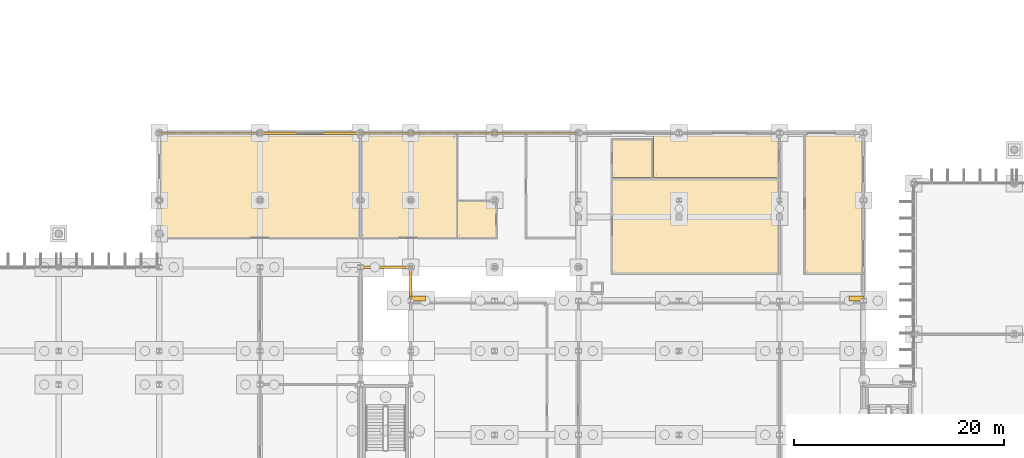
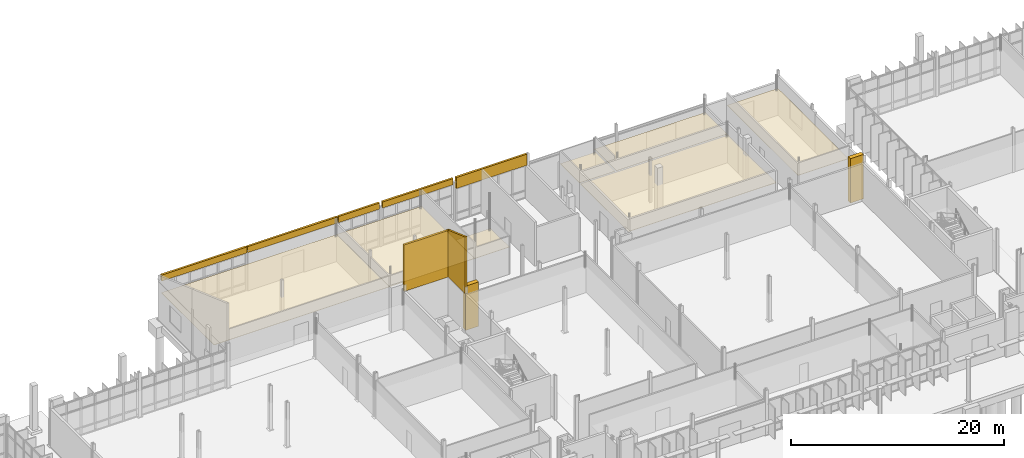
# One storey, part 107 of 111: 16 coverings.
"""IFC4 building model written with IfcOpenShell, lengths in metres."""

from ifc_helpers import new_model, si_unit, direction, frame, origin, origin_2d, place, context, subcontext, project, spatial, polyline, rectangle, outline, extrude, material, layer, layer_set, type_object, element, save


model = new_model("IFC4")

# Units and contexts
model_context = context("Model", 3, precision=1e-05, world=origin(), true_north=direction((0.0, 1.0)))
body_context = subcontext(model_context, "Body", "Model", "MODEL_VIEW")
ifc_project = project(units=[si_unit("LENGTHUNIT", "METRE"), si_unit("AREAUNIT", "SQUARE_METRE"), si_unit("VOLUMEUNIT", "CUBIC_METRE"), si_unit("PLANEANGLEUNIT", "RADIAN"), si_unit("MASSUNIT", "GRAM", prefix="KILO")], contexts=[model_context])

# Site, building, storey
site_placement = place(None, origin())
site = spatial("IfcSite", under=ifc_project, at=site_placement, CompositionType="ELEMENT")
building_placement = place(site_placement, origin())
building = spatial("IfcBuilding", under=site, at=building_placement, Name="Dunescarp Central Library", CompositionType="ELEMENT")
storey_placement = place(building_placement, origin())
storey = spatial("IfcBuildingStorey", under=building, at=storey_placement, Name="L00", CompositionType="ELEMENT", Elevation=0.0)

# Coverings
ifc_material_1 = material(Name="Perforated birch acoustic timber baffle", Category="wood")
ifc_layer_1 = layer(ifc_material_1, 0.050048828125)
ifc_layer_set_1 = layer_set([ifc_layer_1], Name="Perforated birch acoustic timber baffle")
covering_type_1 = type_object("IfcCoveringType", Name="ARC-COV-BAFFLE", PredefinedType="CEILING", material=ifc_layer_set_1)
covering_1_placement = place(storey_placement, frame((0.0, 0.0, 3.050048828125)))
element("IfcCovering", 1, at=covering_1_placement, inside=storey, type_object=covering_type_1, Name="L00 ceiling Water-Court Reading Loggia", PredefinedType="CEILING", context=body_context, shape_type="SweptSolid", body=[
    extrude(outline(polyline([(76.780029296875, 39.580078125), (86.02001953125, 39.580078125), (86.02001953125, 49.47998046875), (76.780029296875, 49.47998046875), (76.780029296875, 39.580078125)])), origin(), (0.0, 0.0, 1.0), 0.050048828125),
])
ifc_material_2 = material(Name="Mineral-fibre acoustic ceiling tile")
ifc_layer_2 = layer(ifc_material_2, 0.0400390625)
ifc_layer_set_2 = layer_set([ifc_layer_2], Name="Mineral-fibre acoustic ceiling tile")
covering_type_2 = type_object("IfcCoveringType", Name="ARC-COV-CEIL40", PredefinedType="CEILING", material=ifc_layer_set_2)
covering_2_placement = place(storey_placement, frame((0.0, 0.0, 3.050048828125)))
element("IfcCovering", 2, at=covering_2_placement, inside=storey, type_object=covering_type_2, Name="L00 ceiling Loading Bay, Quarantine & Book Dispatch", PredefinedType="CEILING", context=body_context, shape_type="SweptSolid", body=[
    extrude(outline(polyline([(100.780029296875, 36.179931640625), (116.820068359375, 36.179931640625), (116.820068359375, 45.219970703125), (100.780029296875, 45.219970703125), (100.780029296875, 36.179931640625)])), origin(), (0.0, 0.0, 1.0), 0.0400390625),
])
covering_3_placement = place(storey_placement, frame((0.0, 0.0, 3.050048828125)))
element("IfcCovering", 3, at=covering_3_placement, inside=storey, type_object=covering_type_2, Name="L00 ceiling Staff Cyclist Shower Room", PredefinedType="CEILING", context=body_context, shape_type="SweptSolid", body=[
    extrude(outline(polyline([(100.780029296875, 45.3798828125), (104.6201171875, 45.3798828125), (104.6201171875, 49.02001953125), (100.780029296875, 49.02001953125), (100.780029296875, 45.3798828125)])), origin(), (0.0, 0.0, 1.0), 0.0400390625),
])
covering_4_placement = place(storey_placement, frame((0.0, 0.0, 3.050048828125)))
element("IfcCovering", 4, at=covering_4_placement, inside=storey, type_object=covering_type_2, Name="L00 ceiling Conservation Materials Store", PredefinedType="CEILING", context=body_context, shape_type="SweptSolid", body=[
    extrude(outline(polyline([(104.780029296875, 45.3798828125), (116.820068359375, 45.3798828125), (116.820068359375, 49.47998046875), (104.780029296875, 49.47998046875), (104.780029296875, 45.3798828125)])), origin(), (0.0, 0.0, 1.0), 0.0400390625),
])
covering_5_placement = place(storey_placement, frame((0.0, 0.0, 3.050048828125)))
element("IfcCovering", 5, at=covering_5_placement, inside=storey, type_object=covering_type_2, Name="L00 ceiling Covered Staff Cycle Store", PredefinedType="CEILING", context=body_context, shape_type="SweptSolid", body=[
    extrude(outline(polyline([(119.179931640625, 36.179931640625), (124.679931640625, 36.179931640625), (124.679931640625, 49.47998046875), (119.179931640625, 49.47998046875), (119.179931640625, 36.179931640625)])), origin(), (0.0, 0.0, 1.0), 0.0400390625),
])
covering_6_placement = place(storey_placement, frame((0.0, 0.0, 3.050048828125)))
element("IfcCovering", 6, at=covering_6_placement, inside=storey, type_object=covering_type_2, Name="L00 ceiling Bioswale Ecology Exhibition Gallery", PredefinedType="CEILING", context=body_context, shape_type="SweptSolid", body=[
    extrude(outline(polyline([(57.719970703125, 39.580078125), (76.820068359375, 39.580078125), (76.820068359375, 49.47998046875), (57.719970703125, 49.47998046875), (57.719970703125, 39.580078125)])), origin(), (0.0, 0.0, 1.0), 0.0400390625),
])
covering_7_placement = place(storey_placement, frame((0.0, 0.0, 3.050048828125)))
element("IfcCovering", 7, at=covering_7_placement, inside=storey, type_object=covering_type_2, Name="L00 ceiling Cloister Accessible Toilet", PredefinedType="CEILING", context=body_context, shape_type="SweptSolid", body=[
    extrude(outline(polyline([(85.97998046875, 39.580078125), (89.820068359375, 39.580078125), (89.820068359375, 43.1201171875), (85.97998046875, 43.1201171875), (85.97998046875, 39.580078125)])), origin(), (0.0, 0.0, 1.0), 0.0400390625),
])
ifc_material_3 = material(Name="Glass-fibre reinforced concrete GRC", Category="concrete")
ifc_layer_3 = layer(ifc_material_3, 0.219970703125)
ifc_layer_set_3 = layer_set([ifc_layer_3], Name="Glass-fibre reinforced concrete GRC")
covering_type_3 = type_object("IfcCoveringType", Name="ARC-COV-CLER", PredefinedType="CLADDING", material=ifc_layer_set_3)
covering_8_placement = place(storey_placement, frame((57.77490234375, 49.60009765625, 4.368896484375), z_axis=(0.0, 0.0, 1.0), x_axis=(1.0, 0.0, 0.0)))
element("IfcCovering", 8, at=covering_8_placement, inside=storey, type_object=covering_type_3, Name="L00 CLN raked clerestory closure CLR-CLN-L00-096", PredefinedType="CLADDING", context=body_context, shape_type="SweptSolid", body=[
    extrude(outline(polyline([(0.0, 0.0), (9.25, 0.0), (9.25, 0.7001953125), (0.0, 0.7001953125), (0.0, 0.0)])), frame((0.0, 0.10986328125, 0.0), z_axis=(0.0, -1.0, 0.0), x_axis=(1.0, 0.0, 0.0)), (0.0, 0.0, 1.0), 0.219970703125),
])
covering_9_placement = place(storey_placement, frame((67.114990234375, 49.60009765625, 4.368896484375), z_axis=(0.0, 0.0, 1.0), x_axis=(1.0, 0.0, 0.0)))
element("IfcCovering", 9, at=covering_9_placement, inside=storey, type_object=covering_type_3, Name="L00 CLN raked clerestory closure CLR-CLN-L00-097", PredefinedType="CLADDING", context=body_context, shape_type="SweptSolid", body=[
    extrude(outline(polyline([(0.0, 0.0), (9.77001953125, 0.0), (9.77001953125, 0.7001953125), (0.0, 0.7001953125), (0.0, 0.0)])), frame((0.0, 0.10986328125, 0.0), z_axis=(0.0, -1.0, 0.0), x_axis=(1.0, 0.0, 0.0)), (0.0, 0.0, 1.0), 0.219970703125),
])
covering_10_placement = place(storey_placement, frame((76.97509765625, 49.60009765625, 4.368896484375), z_axis=(0.0, 0.0, 1.0), x_axis=(1.0, 0.0, 0.0)))
element("IfcCovering", 10, at=covering_10_placement, inside=storey, type_object=covering_type_3, Name="L00 CLN raked clerestory closure CLR-CLN-L00-098", PredefinedType="CLADDING", context=body_context, shape_type="SweptSolid", body=[
    extrude(outline(polyline([(0.0, 0.0), (4.449951171875, 0.0), (4.449951171875, 0.7001953125), (0.0, 0.7001953125), (0.0, 0.0)])), frame((0.0, 0.10986328125, 0.0), z_axis=(0.0, -1.0, 0.0), x_axis=(1.0, 0.0, 0.0)), (0.0, 0.0, 1.0), 0.219970703125),
])
covering_11_placement = place(storey_placement, frame((81.77490234375, 49.60009765625, 4.368896484375), z_axis=(0.0, 0.0, 1.0), x_axis=(1.0, 0.0, 0.0)))
element("IfcCovering", 11, at=covering_11_placement, inside=storey, type_object=covering_type_3, Name="L00 CLN raked clerestory closure CLR-CLN-L00-099", PredefinedType="CLADDING", context=body_context, shape_type="SweptSolid", body=[
    extrude(outline(polyline([(0.0, 0.0), (7.650146484375, 0.0), (7.64990234375, 0.7001953125), (0.0, 0.7001953125), (0.0, 0.0)])), frame((0.0, 0.10986328125, 0.0), z_axis=(0.0, -1.0, 0.0), x_axis=(1.0, 0.0, 0.0)), (0.0, 0.0, 1.0), 0.219970703125),
])
covering_12_placement = place(storey_placement, frame((89.77490234375, 49.60009765625, 3.802001953125), z_axis=(0.0, 0.0, 1.0), x_axis=(1.0, 0.0, 0.0)))
element("IfcCovering", 12, at=covering_12_placement, inside=storey, type_object=covering_type_3, Name="L00 CLN raked clerestory closure CLR-CLN-L00-100", PredefinedType="CLADDING", context=body_context, shape_type="SweptSolid", body=[
    extrude(outline(polyline([(0.0, 0.0), (7.650146484375, 0.0), (7.64990234375, 1.26708984375), (0.0, 1.26708984375), (0.0, 0.0)])), frame((0.0, 0.10986328125, 0.0), z_axis=(0.0, -1.0, 0.0), x_axis=(1.0, 0.0, 0.0)), (0.0, 0.0, 1.0), 0.219970703125),
])
covering_13_placement = place(storey_placement, frame((81.68505859375, 36.800048828125, 4.31201171875), z_axis=(0.0, 0.0, 1.0), x_axis=(-1.0, 0.0, 0.0)))
element("IfcCovering", 13, at=covering_13_placement, inside=storey, type_object=covering_type_3, Name="L00 CLN raked clerestory closure CLR-CLN-L00-101", PredefinedType="CLADDING", context=body_context, shape_type="SweptSolid", body=[
    extrude(outline(polyline([(0.0, 0.0), (4.969970703125, 0.0), (4.969970703125, 5.3369140625), (0.0, 5.3369140625), (0.0, 0.0)])), frame((0.0, 0.10986328125, 0.0), z_axis=(0.0, -1.0, 0.0), x_axis=(1.0, 0.0, 0.0)), (0.0, 0.0, 1.0), 0.219970703125),
])
covering_14_placement = place(storey_placement, frame((81.60009765625, 33.514892578125, 4.302001953125), z_axis=(0.0, 0.0, 1.0), x_axis=(0.0, 1.0, 0.0)))
element("IfcCovering", 14, at=covering_14_placement, inside=storey, type_object=covering_type_3, Name="L00 CLN raked clerestory closure CLR-CLN-L00-102", PredefinedType="CLADDING", context=body_context, shape_type="SweptSolid", body=[
    extrude(outline(polyline([(0.0, 0.0), (3.3701171875, 0.0), (3.3701171875, 5.31689453125), (0.0, 6.52294921875), (0.0, 0.0)])), frame((0.0, 0.10986328125, 0.0), z_axis=(0.0, -1.0, 0.0), x_axis=(1.0, 0.0, 0.0)), (0.0, 0.0, 1.0), 0.219970703125),
])
ifc_layer_4 = layer(ifc_material_3, 0.449951171875)
ifc_layer_set_4 = layer_set([ifc_layer_4], Name="Glass-fibre reinforced concrete GRC")
covering_type_4 = type_object("IfcCoveringType", Name="ARC-COV-PORTAL", PredefinedType="CLADDING", material=ifc_layer_set_4)
for number, where, z_axis, x_axis, name in (
    (15, (82.300048828125, 33.820068359375, 0.0), (0.0, 0.0, 1.0), (1.0, 0.0, 0.0), "V3 sculpted GRC portal pier PRT-BAND-V3-028"),
    (16, (124.10009765625, 33.820068359375, 0.0), (0.0, 0.0, 1.0), (1.0, 0.0, 0.0), "V3 sculpted GRC portal pier PRT-BAND-V3-030"),
):
    element("IfcCovering", number, at=place(storey_placement, frame(where, z_axis=z_axis, x_axis=x_axis)), inside=storey, type_object=covering_type_4, Name=name, PredefinedType="CLADDING", context=body_context, shape_type="SweptSolid", body=[
        extrude(rectangle(XDim=1.39990234375, YDim=0.449951171875, at=origin_2d()), origin(), (0.0, 0.0, 1.0), 5.10009765625),
    ])

save(model, "model.ifc")
